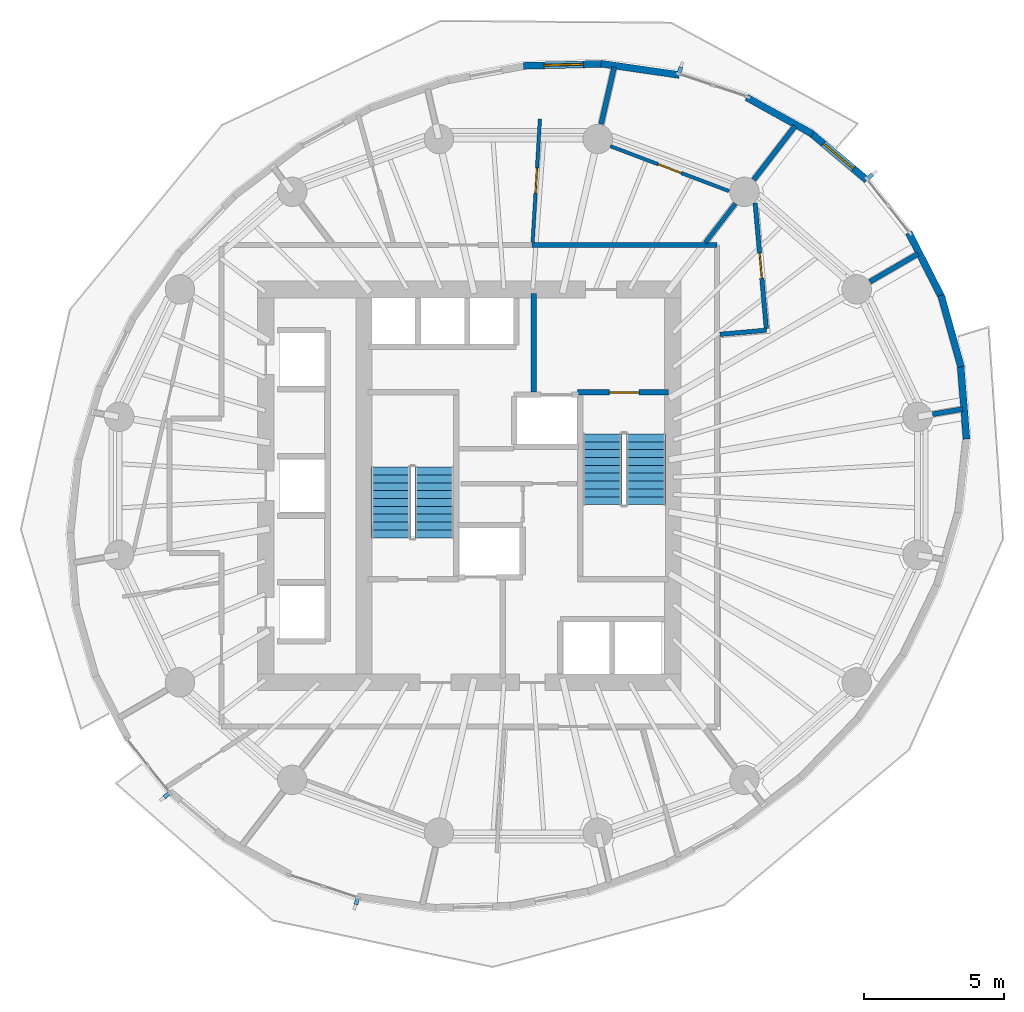
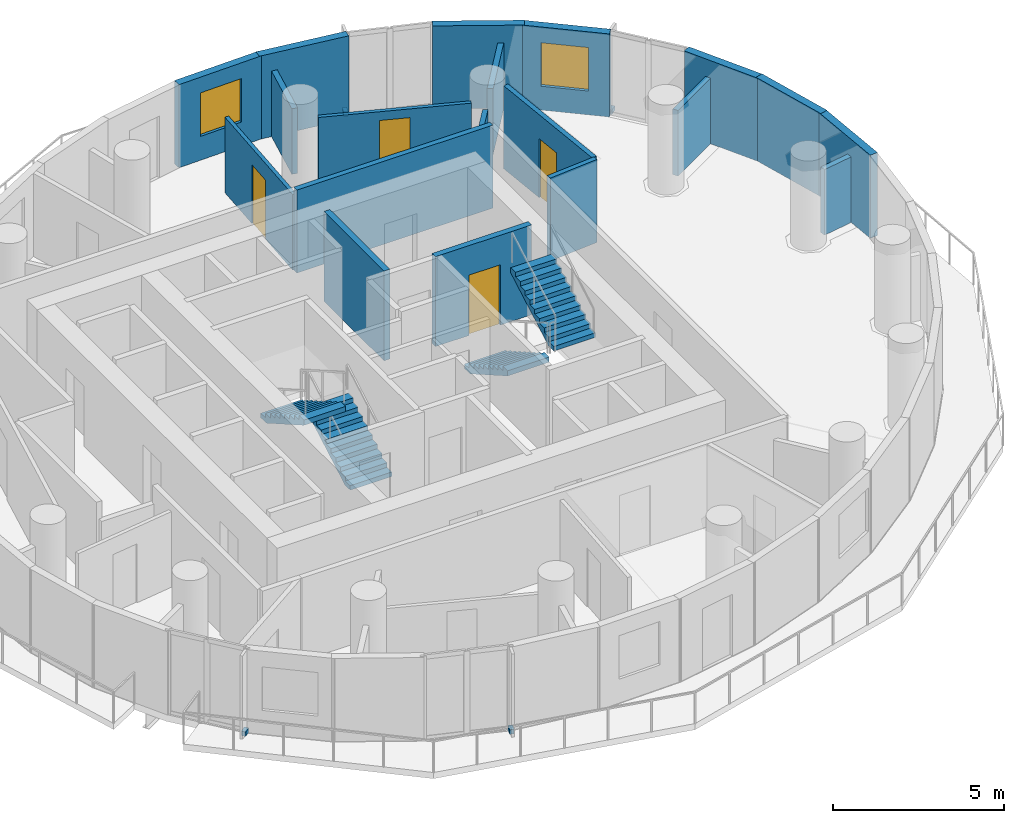
# One storey, part 7 of 12: 19 walls, 4 discrete accessories, 4 doors, 4 stair flights, 2 windows, 6 openings, 2 elements without a shape of their own.
"""IFC4 building model written with IfcOpenShell, lengths in metres."""

from ifc_helpers import new_model, si_unit, direction, frame, frame_2d, origin, origin_2d, place, context, subcontext, project, spatial, polyline, rectangle, outline, extrude, material, layer, layer_set, type_object, element, fill, aggregate, save


model = new_model("IFC4")

# Units and contexts
model_context = context("Model", 3, precision=1e-05, world=origin(), true_north=direction((0.0, 1.0)))
body_context = subcontext(model_context, "Body", "Model", "MODEL_VIEW")
ifc_project = project(units=[si_unit("LENGTHUNIT", "METRE"), si_unit("AREAUNIT", "SQUARE_METRE"), si_unit("VOLUMEUNIT", "CUBIC_METRE"), si_unit("PLANEANGLEUNIT", "RADIAN"), si_unit("MASSUNIT", "GRAM", prefix="KILO")], contexts=[model_context])

# Site, building, storey
site_placement = place(None, origin())
site = spatial("IfcSite", under=ifc_project, at=site_placement, CompositionType="ELEMENT")
building_placement = place(site_placement, origin())
building = spatial("IfcBuilding", under=site, at=building_placement, Name="Veldorim Arch Residences", CompositionType="ELEMENT")
storey_placement = place(building_placement, frame((0.0, 0.0, 139.360107421875)))
storey = spatial("IfcBuildingStorey", under=building, at=storey_placement, Name="L41", CompositionType="ELEMENT", Elevation=139.360107421875)

# Wall, opening, door
ifc_material_1 = material(Name="Acoustic Gypsum Board", Category="gypsum")
ifc_layer_1 = layer(ifc_material_1, 0.125, Name="Acoustic Stud Room Partition Wall 125")
ifc_layer_set_1 = layer_set([ifc_layer_1], Name="Acoustic Gypsum Board")
wall_type_1 = type_object("IfcWallType", Name="Acoustic Stud Room Partition Wall 125", PredefinedType="PARTITIONING", material=ifc_layer_set_1)
wall_1_placement = place(storey_placement, frame((32.76904296875, 37.07275390625, 0.0), z_axis=(0.0, 0.0, 1.0), x_axis=(-0.058751291398, -0.998272651012, 0.0)))
wall_1 = element("IfcWall", 1, at=wall_1_placement, inside=storey, type_object=wall_type_1, Name="L41 interior wall WL-RES-L41-020", PredefinedType="PARTITIONING", context=body_context, shape_type="SweptSolid", body=[
    extrude(rectangle(XDim=4.400634765625, YDim=0.125, at=frame_2d((2.2001953125, 0.0))), origin(), (0.0, 0.0, 1.0), 2.69189453125),
])
opening_1_placement = place(wall_1_placement, frame((1.750244140625, 0.0, 0.0)))
opening_1 = element("IfcOpeningElement", 2, at=opening_1_placement, cuts=wall_1, Name="Opening DR-INT", PredefinedType="OPENING", context=body_context, shape_type="SweptSolid", body=[
    extrude(rectangle(XDim=0.89990234375, YDim=2.10009765625, at=frame_2d((0.449951171875, 1.050048828125))), frame((0.0, 0.072509765625, 0.0), z_axis=(0.0, -1.0, 0.0), x_axis=(1.0, 0.0, 0.0)), (0.0, 0.0, 1.0), 0.14501953125),
])
ifc_material_2 = material(Name="Engineered Timber", Category="wood")
door_type_1 = type_object("IfcDoorType", Name="Apartment Internal Room Timber Door 900x2100", OperationType="SINGLE_SWING_LEFT", PredefinedType="DOOR", material=ifc_material_2)
door_1_placement = place(opening_1_placement, origin())
door_1 = element("IfcDoor", 3, at=door_1_placement, inside=storey, type_object=door_type_1, Name="L41 interior door DR-RES-L41-009", OperationType="SINGLE_SWING_LEFT", OverallHeight=2.10009765625, OverallWidth=0.89990234375, PredefinedType="DOOR", context=body_context, shape_type="SweptSolid", body=[
    extrude(rectangle(XDim=0.89990234375, YDim=2.10009765625, at=frame_2d((0.449951171875, 1.050048828125))), frame((0.0, 0.02490234375, 0.0), z_axis=(0.0, -1.0, 0.0), x_axis=(1.0, 0.0, 0.0)), (0.0, 0.0, 1.0), 0.050048828125),
])
fill(opening_1, door_1)

wall_2_placement = place(storey_placement, frame((35.2783203125, 36.10302734375, 0.0), z_axis=(0.0, 0.0, 1.0), x_axis=(0.935309901838, -0.353829602385, 0.0)))
wall_2 = element("IfcWall", 4, at=wall_2_placement, inside=storey, type_object=wall_type_1, Name="L41 interior wall WL-RES-L41-022", PredefinedType="PARTITIONING", context=body_context, shape_type="SweptSolid", body=[
    extrude(rectangle(XDim=4.525634765625, YDim=0.125, at=frame_2d((2.2626953125, 0.0))), origin(), (0.0, 0.0, 1.0), 2.4111328125),
])
opening_2_placement = place(wall_2_placement, frame((1.81298828125, 0.0, 0.0)))
opening_2 = element("IfcOpeningElement", 5, at=opening_2_placement, cuts=wall_2, Name="Opening DR-INT", PredefinedType="OPENING", context=body_context, shape_type="SweptSolid", body=[
    extrude(rectangle(XDim=0.89990234375, YDim=2.10009765625, at=frame_2d((0.449951171875, 1.050048828125))), frame((0.0, 0.072509765625, 0.0), z_axis=(0.0, -1.0, 0.0), x_axis=(1.0, 0.0, 0.0)), (0.0, 0.0, 1.0), 0.14501953125),
])
door_2_placement = place(opening_2_placement, origin())
door_2 = element("IfcDoor", 6, at=door_2_placement, inside=storey, type_object=door_type_1, Name="L41 interior door DR-RES-L41-010", OperationType="SINGLE_SWING_RIGHT", OverallHeight=2.10009765625, OverallWidth=0.89990234375, PredefinedType="DOOR", context=body_context, shape_type="SweptSolid", body=[
    extrude(rectangle(XDim=0.89990234375, YDim=2.10009765625, at=frame_2d((0.449951171875, 1.050048828125))), frame((0.0, 0.02490234375, 0.0), z_axis=(0.0, -1.0, 0.0), x_axis=(1.0, 0.0, 0.0)), (0.0, 0.0, 1.0), 0.050048828125),
])
fill(opening_2, door_2)

# Walls
ifc_material_3 = material(Name="Lightweight Masonry Block & Gypsum", Category="masonry")
ifc_layer_2 = layer(ifc_material_3, 0.179931640625, Name="Compartment & Corridor Fire-Rated Party Wall 180")
ifc_layer_set_2 = layer_set([ifc_layer_2], Name="Lightweight Masonry Block & Gypsum")
wall_type_2 = type_object("IfcWallType", Name="Compartment & Corridor Fire-Rated Party Wall 180", PredefinedType="PARTITIONING", material=ifc_layer_set_2)
wall_3_placement = place(storey_placement, frame((46.75830078125, 26.55078125, 0.0), z_axis=(0.0, 0.0, 1.0), x_axis=(0.985361391556, 0.170478526599, 0.0)))
element("IfcWall", 7, at=wall_3_placement, inside=storey, type_object=wall_type_2, Name="L41 interior wall WL-PIER-L41-01", PredefinedType="PARTITIONING", context=body_context, shape_type="SweptSolid", body=[
    extrude(rectangle(XDim=1.0869140625, YDim=0.179931640625, at=frame_2d((0.54345703125, 0.0))), origin(), (0.0, 0.0, 1.0), 2.335693359375),
])
wall_4_placement = place(storey_placement, frame((44.527587890625, 31.27392578125, 0.0), z_axis=(0.0, 0.0, 1.0), x_axis=(0.864844369658, 0.502040054448, 0.0)))
element("IfcWall", 8, at=wall_4_placement, inside=storey, type_object=wall_type_2, Name="L41 interior wall WL-PIER-L41-02", PredefinedType="PARTITIONING", context=body_context, shape_type="SweptSolid", body=[
    extrude(rectangle(XDim=1.974365234375, YDim=0.179931640625, at=frame_2d((0.9873046875, 0.0))), origin(), (0.0, 0.0, 1.0), 2.335693359375),
])
wall_5_placement = place(storey_placement, frame((40.387939453125, 34.908447265625, 0.0), z_axis=(0.0, 0.0, 1.0), x_axis=(0.609549509747, 0.79274800231, 0.0)))
element("IfcWall", 9, at=wall_5_placement, inside=storey, type_object=wall_type_2, Name="L41 interior wall WL-PIER-L41-03", PredefinedType="PARTITIONING", context=body_context, shape_type="SweptSolid", body=[
    extrude(rectangle(XDim=2.414794921875, YDim=0.179931640625, at=frame_2d((1.20751953125, 0.0))), origin(), (0.0, 0.0, 1.0), 2.335693359375),
])
wall_6_placement = place(storey_placement, frame((34.950439453125, 36.88916015625, 0.0), z_axis=(0.0, 0.0, 1.0), x_axis=(0.223063251486, 0.974803973031, 0.0)))
element("IfcWall", 10, at=wall_6_placement, inside=storey, type_object=wall_type_2, Name="L41 interior wall WL-PIER-L41-04", PredefinedType="PARTITIONING", context=body_context, shape_type="SweptSolid", body=[
    extrude(rectangle(XDim=2.0849609375, YDim=0.179931640625, at=frame_2d((1.04248046875, 0.0))), origin(), (0.0, 0.0, 1.0), 2.335693359375),
])
wall_7_placement = place(storey_placement, frame((32.484619140625, 32.580078125, 0.0), z_axis=(0.0, 0.0, 1.0), x_axis=(1.0, 0.0, 0.0)))
element("IfcWall", 11, at=wall_7_placement, inside=storey, type_object=wall_type_2, Name="L41 interior wall WL-RES-L41-003", PredefinedType="PARTITIONING", context=body_context, shape_type="SweptSolid", body=[
    extrude(rectangle(XDim=6.595458984375, YDim=0.179931640625, at=frame_2d((3.2978515625, 0.0))), origin(), (0.0, 0.0, 1.0), 2.954833984375),
])

# Wall, opening, door
ifc_material_4 = material(Name="Concrete C50/60", Category="concrete")
ifc_layer_3 = layer(ifc_material_4, 0.199951171875, Name="Core Stair & Lift Shaft Enclosure Wall 200")
ifc_layer_set_3 = layer_set([ifc_layer_3], Name="Concrete C50/60")
wall_type_3 = type_object("IfcWallType", Name="Core Stair & Lift Shaft Enclosure Wall 200", PredefinedType="SHEAR", material=ifc_layer_set_3)
wall_8_placement = place(storey_placement, frame((34.110107421875, 27.330078125, 0.0), z_axis=(0.0, 0.0, 1.0), x_axis=(1.0, 0.0, 0.0)))
wall_8 = element("IfcWall", 12, at=wall_8_placement, inside=storey, type_object=wall_type_3, Name="L41 shaft wall WL-SHF-L41-ST2-N", PredefinedType="SHEAR", context=body_context, shape_type="SweptSolid", body=[
    extrude(rectangle(XDim=3.239990234375, YDim=0.199951171875, at=frame_2d((1.6201171875, 0.0))), origin(), (0.0, 0.0, 1.0), 3.199951171875),
])
opening_3_placement = place(wall_8_placement, frame((1.135009765625, 0.0, 0.0)))
opening_3 = element("IfcOpeningElement", 13, at=opening_3_placement, cuts=wall_8, Name="Opening DR-ST", PredefinedType="OPENING", context=body_context, shape_type="SweptSolid", body=[
    extrude(rectangle(XDim=1.050048828125, YDim=2.14990234375, at=frame_2d((0.52490234375, 1.074951171875))), frame((0.0, 0.10986328125, 0.0), z_axis=(0.0, -1.0, 0.0), x_axis=(1.0, 0.0, 0.0)), (0.0, 0.0, 1.0), 0.219970703125),
])
ifc_material_5 = material(Name="Fire-Rated Steel", Category="steel")
door_type_2 = type_object("IfcDoorType", Name="Exit Staircase Self-Closing Fire Door 1050x2150", OperationType="SINGLE_SWING_LEFT", PredefinedType="DOOR", material=ifc_material_5)
door_3_placement = place(opening_3_placement, origin())
door_3 = element("IfcDoor", 14, at=door_3_placement, inside=storey, type_object=door_type_2, Name="L41 interior door DR-L41-ST2", OperationType="SINGLE_SWING_RIGHT", OverallHeight=2.14990234375, OverallWidth=1.050048828125, PredefinedType="DOOR", context=body_context, shape_type="SweptSolid", body=[
    extrude(rectangle(XDim=1.050048828125, YDim=2.14990234375, at=frame_2d((0.52490234375, 1.074951171875))), frame((0.0, 0.02490234375, 0.0), z_axis=(0.0, -1.0, 0.0), x_axis=(1.0, 0.0, 0.0)), (0.0, 0.0, 1.0), 0.050048828125),
])
fill(opening_3, door_3)

# Wall
wall_9_placement = place(storey_placement, frame((32.550048828125, 27.35009765625, 0.0), z_axis=(0.0, 0.0, 1.0), x_axis=(0.0, 1.0, 0.0)))
element("IfcWall", 15, at=wall_9_placement, inside=storey, type_object=wall_type_3, Name="L41 shaft wall WL-FFL2-L41-W", PredefinedType="SHEAR", context=body_context, shape_type="SweptSolid", body=[
    extrude(rectangle(XDim=3.5, YDim=0.199951171875, at=frame_2d((1.75, 0.0))), origin(), (0.0, 0.0, 1.0), 3.199951171875),
])

# Wall, opening, window
ifc_material_6 = material(Name="Precast concrete C40/50", Category="concrete")
ifc_layer_4 = layer(ifc_material_6, 0.25, Name="Tower Terracotta Spandrel & Pier Wall 250")
ifc_layer_set_4 = layer_set([ifc_layer_4], Name="Precast concrete C40/50")
wall_type_4 = type_object("IfcWallType", Name="Tower Terracotta Spandrel & Pier Wall 250", PredefinedType="SOLIDWALL", material=ifc_layer_set_4)
wall_10_placement = place(storey_placement, frame((42.39453125, 36.601318359375, 0.0), z_axis=(0.0, 0.0, 1.0), x_axis=(0.764825125467, -0.644237943197, 0.0)))
wall_10 = element("IfcWall", 16, at=wall_10_placement, inside=storey, type_object=wall_type_4, Name="L41 terracotta facade wall 02", PredefinedType="SOLIDWALL", context=body_context, shape_type="SweptSolid", body=[
    extrude(rectangle(XDim=2.648193359375, YDim=0.25, at=frame_2d((1.32421875, 0.0))), origin(), (0.0, 0.0, 1.0), 2.9599609375),
])
opening_4_placement = place(wall_10_placement, frame((0.6240234375, 0.0, 0.85009765625)))
opening_4 = element("IfcOpeningElement", 17, at=opening_4_placement, cuts=wall_10, Name="Opening WN-02", PredefinedType="OPENING", context=body_context, shape_type="SweptSolid", body=[
    extrude(rectangle(XDim=1.39990234375, YDim=1.550048828125, at=frame_2d((0.699951171875, 0.77490234375))), frame((0.0, 0.135009765625, 0.0), z_axis=(0.0, -1.0, 0.0), x_axis=(1.0, 0.0, 0.0)), (0.0, 0.0, 1.0), 0.27001953125),
])
ifc_material_7 = material(Name="Laminated Low-E Glass", Category="glass")
window_type = type_object("IfcWindowType", Name="Residential Casement Window 1400x1550", PartitioningType="SINGLE_PANEL", PredefinedType="WINDOW", material=ifc_material_7)
window_1_placement = place(opening_4_placement, origin())
window_1 = element("IfcWindow", 18, at=window_1_placement, inside=storey, type_object=window_type, Name="L41 solar-control facade window 02", OverallHeight=1.550048828125, OverallWidth=1.39990234375, PartitioningType="SINGLE_PANEL", PredefinedType="WINDOW", context=body_context, shape_type="SweptSolid", body=[
    extrude(rectangle(XDim=1.39990234375, YDim=1.550048828125, at=frame_2d((0.699951171875, 0.77490234375))), frame((0.0, 0.030029296875, 0.0), z_axis=(0.0, -1.0, 0.0), x_axis=(1.0, 0.0, 0.0)), (0.0, 0.0, 1.0), 0.06005859375),
])
fill(opening_4, window_1)

# Walls
wall_11_placement = place(storey_placement, frame((40.1337890625, 37.84375, 0.0), z_axis=(0.0, 0.0, 1.0), x_axis=(0.874341102682, -0.485311895755, 0.0)))
element("IfcWall", 19, at=wall_11_placement, inside=storey, type_object=wall_type_4, Name="L41 terracotta facade wall 03", PredefinedType="SOLIDWALL", context=body_context, shape_type="SweptSolid", body=[
    extrude(rectangle(XDim=2.69287109375, YDim=0.25, at=frame_2d((1.346435546875, 0.0))), origin(), (0.0, 0.0, 1.0), 2.9599609375),
])
wall_12_placement = place(storey_placement, frame((34.94580078125, 39.045166015625, 0.0), z_axis=(0.0, 0.0, 1.0), x_axis=(0.98966505468, -0.143398324768, 0.0)))
element("IfcWall", 20, at=wall_12_placement, inside=storey, type_object=wall_type_4, Name="L41 terracotta facade wall 05", PredefinedType="SOLIDWALL", context=body_context, shape_type="SweptSolid", body=[
    extrude(rectangle(XDim=2.817626953125, YDim=0.25, at=frame_2d((1.40869140625, 0.0))), origin(), (0.0, 0.0, 1.0), 2.9599609375),
])

# Wall, opening, window
wall_13_placement = place(storey_placement, frame((32.175537109375, 38.966796875, 0.0), z_axis=(0.0, 0.0, 1.0), x_axis=(0.999687646408, 0.02499219116, 0.0)))
wall_13 = element("IfcWall", 21, at=wall_13_placement, inside=storey, type_object=wall_type_4, Name="L41 terracotta facade wall 06", PredefinedType="SOLIDWALL", context=body_context, shape_type="SweptSolid", body=[
    extrude(rectangle(XDim=2.8818359375, YDim=0.25, at=frame_2d((1.44091796875, 0.0))), origin(), (0.0, 0.0, 1.0), 2.9599609375),
])
opening_5_placement = place(wall_13_placement, frame((0.740966796875, 0.0, 0.85009765625)))
opening_5 = element("IfcOpeningElement", 22, at=opening_5_placement, cuts=wall_13, Name="Opening WN-02", PredefinedType="OPENING", context=body_context, shape_type="SweptSolid", body=[
    extrude(rectangle(XDim=1.39990234375, YDim=1.550048828125, at=frame_2d((0.699951171875, 0.77490234375))), frame((0.0, 0.135009765625, 0.0), z_axis=(0.0, -1.0, 0.0), x_axis=(1.0, 0.0, 0.0)), (0.0, 0.0, 1.0), 0.27001953125),
])
window_2_placement = place(opening_5_placement, origin())
window_2 = element("IfcWindow", 23, at=window_2_placement, inside=storey, type_object=window_type, Name="L41 solar-control facade window 06", OverallHeight=1.550048828125, OverallWidth=1.39990234375, PartitioningType="SINGLE_PANEL", PredefinedType="WINDOW", context=body_context, shape_type="SweptSolid", body=[
    extrude(rectangle(XDim=1.39990234375, YDim=1.550048828125, at=frame_2d((0.699951171875, 0.77490234375))), frame((0.0, 0.030029296875, 0.0), z_axis=(0.0, -1.0, 0.0), x_axis=(1.0, 0.0, 0.0)), (0.0, 0.0, 1.0), 0.06005859375),
])
fill(opening_5, window_2)

# Walls
wall_14_placement = place(storey_placement, frame((47.755859375, 28.350341796875, 0.0), z_axis=(0.0, 0.0, 1.0), x_axis=(0.079420906371, -0.996841170714, 0.0)))
element("IfcWall", 24, at=wall_14_placement, inside=storey, type_object=wall_type_4, Name="L41 terracotta facade wall 34", PredefinedType="SOLIDWALL", context=body_context, shape_type="SweptSolid", body=[
    extrude(rectangle(XDim=2.69287109375, YDim=0.25, at=frame_2d((1.346435546875, 0.0))), origin(), (0.0, 0.0, 1.0), 2.9599609375),
])
wall_15_placement = place(storey_placement, frame((47.062255859375, 30.788818359375, 0.0), z_axis=(0.0, 0.0, 1.0), x_axis=(0.269469206067, -0.963009006698, 0.0)))
element("IfcWall", 25, at=wall_15_placement, inside=storey, type_object=wall_type_4, Name="L41 terracotta facade wall 35", PredefinedType="SOLIDWALL", context=body_context, shape_type="SweptSolid", body=[
    extrude(rectangle(XDim=2.648193359375, YDim=0.25, at=frame_2d((1.32421875, 0.0))), origin(), (0.0, 0.0, 1.0), 2.9599609375),
])
wall_16_placement = place(storey_placement, frame((45.912109375, 33.02001953125, 0.0), z_axis=(0.0, 0.0, 1.0), x_axis=(0.454196134835, -0.890901717981, 0.0)))
element("IfcWall", 26, at=wall_16_placement, inside=storey, type_object=wall_type_4, Name="L41 terracotta facade wall 36", PredefinedType="SOLIDWALL", context=body_context, shape_type="SweptSolid", body=[
    extrude(rectangle(XDim=2.624267578125, YDim=0.25, at=frame_2d((1.31201171875, 0.0))), origin(), (0.0, 0.0, 1.0), 2.9599609375),
])
ifc_material_8 = material(Name="Moisture-Resistant Gypsum & Stud", Category="gypsum")
ifc_layer_5 = layer(ifc_material_8, 0.159912109375, Name="Wet-Area Moisture-Resistant Plumbing Wall 160")
ifc_layer_set_5 = layer_set([ifc_layer_5], Name="Moisture-Resistant Gypsum & Stud")
wall_type_5 = type_object("IfcWallType", Name="Wet-Area Moisture-Resistant Plumbing Wall 160", PredefinedType="PLUMBINGWALL", material=ifc_layer_set_5)
wall_17_placement = place(storey_placement, frame((39.1796875, 29.398193359375, 0.0), z_axis=(0.0, 0.0, 1.0), x_axis=(0.996058284503, 0.088701149215, 0.0)))
element("IfcWall", 27, at=wall_17_placement, inside=storey, type_object=wall_type_5, Name="L41 interior wall WL-RES-L41-016", PredefinedType="PLUMBINGWALL", context=body_context, shape_type="SweptSolid", body=[
    extrude(rectangle(XDim=1.66796875, YDim=0.159912109375, at=frame_2d((0.833984375, 0.0))), origin(), (0.0, 0.0, 1.0), 2.954833984375),
])

# Wall, opening, door
wall_18_placement = place(storey_placement, frame((40.835693359375, 29.60595703125, 0.0), z_axis=(0.0, 0.0, 1.0), x_axis=(-0.08877110741, 0.996052052098, 0.0)))
wall_18 = element("IfcWall", 28, at=wall_18_placement, inside=storey, type_object=wall_type_5, Name="L41 interior wall WL-RES-L41-017", PredefinedType="PLUMBINGWALL", context=body_context, shape_type="SweptSolid", body=[
    extrude(rectangle(XDim=4.4912109375, YDim=0.159912109375, at=frame_2d((2.24560546875, 0.0))), origin(), (0.0, 0.0, 1.0), 2.954833984375),
])
opening_6_placement = place(wall_18_placement, frame((1.795654296875, 0.0, 0.0)))
opening_6 = element("IfcOpeningElement", 29, at=opening_6_placement, cuts=wall_18, Name="Opening DR-WC", PredefinedType="OPENING", context=body_context, shape_type="SweptSolid", body=[
    extrude(rectangle(XDim=0.89990234375, YDim=2.10009765625, at=frame_2d((0.449951171875, 1.050048828125))), frame((0.0, 0.08984375, 0.0), z_axis=(0.0, -1.0, 0.0), x_axis=(1.0, 0.0, 0.0)), (0.0, 0.0, 1.0), 0.179931640625),
])
ifc_material_9 = material(Name="Laminate Timber", Category="wood")
door_type_3 = type_object("IfcDoorType", Name="Bathroom & Accessible WC Moisture-Sealed Door 900x2100", OperationType="SINGLE_SWING_LEFT", PredefinedType="DOOR", material=ifc_material_9)
door_4_placement = place(opening_6_placement, origin())
door_4 = element("IfcDoor", 30, at=door_4_placement, inside=storey, type_object=door_type_3, Name="L41 interior door DR-RES-L41-006", OperationType="SINGLE_SWING_RIGHT", OverallHeight=2.10009765625, OverallWidth=0.89990234375, PredefinedType="DOOR", context=body_context, shape_type="SweptSolid", body=[
    extrude(rectangle(XDim=0.89990234375, YDim=2.10009765625, at=frame_2d((0.449951171875, 1.050048828125))), frame((0.0, 0.02490234375, 0.0), z_axis=(0.0, -1.0, 0.0), x_axis=(1.0, 0.0, 0.0)), (0.0, 0.0, 1.0), 0.050048828125),
])
fill(opening_6, door_4)

# Wall
wall_19_placement = place(storey_placement, frame((38.658447265625, 32.6591796875, 0.0), z_axis=(0.0, 0.0, 1.0), x_axis=(0.609536601946, 0.792757927042, 0.0)))
element("IfcWall", 31, at=wall_19_placement, inside=storey, type_object=wall_type_5, Name="L41 interior wall WL-RES-L41-018", PredefinedType="PLUMBINGWALL", context=body_context, shape_type="SweptSolid", body=[
    extrude(rectangle(XDim=1.761474609375, YDim=0.159912109375, at=frame_2d((0.880859375, 0.0))), origin(), (0.0, 0.0, 1.0), 2.335693359375),
])

# Stair, stair flights
ifc_material_10 = material(Name="Concrete C40/50", Category="concrete")
stair_type = type_object("IfcStairType", Name="Reinforced Concrete Dogleg Exit Staircase", PredefinedType="HALF_TURN_STAIR", material=ifc_material_10)
stair_1_placement = place(storey_placement, origin())
stair_1 = element("IfcStair", 32, at=stair_1_placement, inside=storey, type_object=stair_type, Name="L41 Exit Staircase ST-1", PredefinedType="HALF_TURN_STAIR")
ifc_material_11 = material(Name="Concrete C40/50", Category="concrete")
stair_flight_type = type_object("IfcStairFlightType", Name="Reinforced Concrete Stair Flight 1400", PredefinedType="STRAIGHT", material=ifc_material_11)
stair_flight_1_placement = place(storey_placement, frame((29.010009765625, 22.14990234375, 0.0), z_axis=(0.0, 0.0, 1.0), x_axis=(0.0, 1.0, 0.0)))
stair_flight_1 = element("IfcStairFlight", 33, at=stair_flight_1_placement, type_object=stair_flight_type, Name="ST-1 flight 1", NumberOfRisers=10, NumberOfTreads=9, PredefinedType="STRAIGHT", RiserHeight=0.16, TreadLength=0.28, context=body_context, shape_type="SweptSolid", body=[
    extrude(outline(polyline([(0.0, 0.0), (0.0, 0.159912109375), (0.280029296875, 0.159912109375), (0.280029296875, 0.320068359375), (0.56005859375, 0.320068359375), (0.56005859375, 0.47998046875), (0.840087890625, 0.47998046875), (0.840087890625, 0.639892578125), (1.1201171875, 0.639892578125), (1.1201171875, 0.800048828125), (1.39990234375, 0.800048828125), (1.39990234375, 0.9599609375), (1.679931640625, 0.9599609375), (1.679931640625, 1.1201171875), (1.9599609375, 1.1201171875), (1.9599609375, 1.280029296875), (2.239990234375, 1.280029296875), (2.239990234375, 1.43994140625), (2.52001953125, 1.43994140625), (2.52001953125, 1.60009765625), (2.52001953125, 1.255859375), (0.322265625, 0.0), (0.0, 0.0)])), frame((0.0, 0.699951171875, 0.0), z_axis=(0.0, -1.0, 0.0), x_axis=(1.0, 0.0, 0.0)), (0.0, 0.0, 1.0), 1.39990234375),
])
stair_flight_2_placement = place(storey_placement, frame((27.449951171875, 24.669921875, 1.599853515625), z_axis=(0.0, 0.0, 1.0), x_axis=(0.0, -1.0, 0.0)))
stair_flight_2 = element("IfcStairFlight", 34, at=stair_flight_2_placement, type_object=stair_flight_type, Name="ST-1 flight 2", NumberOfRisers=10, NumberOfTreads=9, PredefinedType="STRAIGHT", RiserHeight=0.16, TreadLength=0.28, context=body_context, shape_type="SweptSolid", body=[
    extrude(outline(polyline([(0.0, 0.0), (0.0, 0.159912109375), (0.280029296875, 0.159912109375), (0.280029296875, 0.320068359375), (0.56005859375, 0.320068359375), (0.56005859375, 0.47998046875), (0.840087890625, 0.47998046875), (0.840087890625, 0.639892578125), (1.1201171875, 0.639892578125), (1.1201171875, 0.800048828125), (1.39990234375, 0.800048828125), (1.39990234375, 0.9599609375), (1.679931640625, 0.9599609375), (1.679931640625, 1.1201171875), (1.9599609375, 1.1201171875), (1.9599609375, 1.280029296875), (2.239990234375, 1.280029296875), (2.239990234375, 1.43994140625), (2.52001953125, 1.43994140625), (2.52001953125, 1.60009765625), (2.52001953125, 1.255859375), (0.322265625, 0.0), (0.0, 0.0)])), frame((0.0, 0.699951171875, 0.0), z_axis=(0.0, -1.0, 0.0), x_axis=(1.0, 0.0, 0.0)), (0.0, 0.0, 1.0), 1.39990234375),
])
aggregate(stair_1, [stair_flight_1, stair_flight_2])

stair_2_placement = place(storey_placement, origin())
stair_2 = element("IfcStair", 35, at=stair_2_placement, inside=storey, type_object=stair_type, Name="L41 Exit Staircase ST-2", PredefinedType="HALF_TURN_STAIR")
stair_flight_3_placement = place(storey_placement, frame((34.989990234375, 25.85009765625, 0.0), z_axis=(0.0, 0.0, 1.0), x_axis=(0.0, -1.0, 0.0)))
stair_flight_3 = element("IfcStairFlight", 36, at=stair_flight_3_placement, type_object=stair_flight_type, Name="ST-2 flight 1", NumberOfRisers=10, NumberOfTreads=9, PredefinedType="STRAIGHT", RiserHeight=0.16, TreadLength=0.28, context=body_context, shape_type="SweptSolid", body=[
    extrude(outline(polyline([(0.0, 0.0), (0.0, 0.159912109375), (0.280029296875, 0.159912109375), (0.280029296875, 0.320068359375), (0.56005859375, 0.320068359375), (0.56005859375, 0.47998046875), (0.840087890625, 0.47998046875), (0.840087890625, 0.639892578125), (1.1201171875, 0.639892578125), (1.1201171875, 0.800048828125), (1.39990234375, 0.800048828125), (1.39990234375, 0.9599609375), (1.679931640625, 0.9599609375), (1.679931640625, 1.1201171875), (1.9599609375, 1.1201171875), (1.9599609375, 1.280029296875), (2.239990234375, 1.280029296875), (2.239990234375, 1.43994140625), (2.52001953125, 1.43994140625), (2.52001953125, 1.60009765625), (2.52001953125, 1.255859375), (0.322265625, 0.0), (0.0, 0.0)])), frame((0.0, 0.699951171875, 0.0), z_axis=(0.0, -1.0, 0.0), x_axis=(1.0, 0.0, 0.0)), (0.0, 0.0, 1.0), 1.39990234375),
])
stair_flight_4_placement = place(storey_placement, frame((36.550048828125, 23.330078125, 1.599853515625), z_axis=(0.0, 0.0, 1.0), x_axis=(0.0, 1.0, 0.0)))
stair_flight_4 = element("IfcStairFlight", 37, at=stair_flight_4_placement, type_object=stair_flight_type, Name="ST-2 flight 2", NumberOfRisers=10, NumberOfTreads=9, PredefinedType="STRAIGHT", RiserHeight=0.16, TreadLength=0.28, context=body_context, shape_type="SweptSolid", body=[
    extrude(outline(polyline([(0.0, 0.0), (0.0, 0.159912109375), (0.280029296875, 0.159912109375), (0.280029296875, 0.320068359375), (0.56005859375, 0.320068359375), (0.56005859375, 0.47998046875), (0.840087890625, 0.47998046875), (0.840087890625, 0.639892578125), (1.1201171875, 0.639892578125), (1.1201171875, 0.800048828125), (1.39990234375, 0.800048828125), (1.39990234375, 0.9599609375), (1.679931640625, 0.9599609375), (1.679931640625, 1.1201171875), (1.9599609375, 1.1201171875), (1.9599609375, 1.280029296875), (2.239990234375, 1.280029296875), (2.239990234375, 1.43994140625), (2.52001953125, 1.43994140625), (2.52001953125, 1.60009765625), (2.52001953125, 1.255859375), (0.322265625, 0.0), (0.0, 0.0)])), frame((0.0, 0.699951171875, 0.0), z_axis=(0.0, -1.0, 0.0), x_axis=(1.0, 0.0, 0.0)), (0.0, 0.0, 1.0), 1.39990234375),
])
aggregate(stair_2, [stair_flight_3, stair_flight_4])

# Discrete accessories
ifc_material_12 = material(Name="Stainless Steel", Category="steel")
discrete_accessory_type = type_object("IfcDiscreteAccessoryType", Name="Stainless Steel Facade Fin Anchor Bracket", PredefinedType="BRACKET", material=ifc_material_12)
for number, where, z_axis, x_axis, name in (
    (38, (44.527099609375, 35.023681640625, -0.02001953125), (0.0, 0.0, 1.0), (0.622514636638, -0.782608156852, 0.0), "L41 stainless fin anchor bracket 01"),
    (39, (37.756591796875, 38.8076171875, -0.02001953125), (0.0, 0.0, 1.0), (0.948931088342, -0.315483422034, 0.0), "L41 stainless fin anchor bracket 04"),
    (40, (19.472900390625, 12.976318359375, -0.02001953125), (0.0, 0.0, 1.0), (-0.622514636638, 0.782608156852, 0.0), "L41 stainless fin anchor bracket 19"),
    (41, (26.243408203125, 9.1923828125, -0.02001953125), (0.0, 0.0, 1.0), (-0.948931088342, 0.315483422034, 0.0), "L41 stainless fin anchor bracket 22"),
):
    element("IfcDiscreteAccessory", number, at=place(storey_placement, frame(where, z_axis=z_axis, x_axis=x_axis)), inside=storey, type_object=discrete_accessory_type, Name=name, PredefinedType="BRACKET", context=body_context, shape_type="SweptSolid", body=[
        extrude(rectangle(XDim=0.139892578125, YDim=0.239990234375, at=origin_2d()), origin(), (0.0, 0.0, 1.0), 0.159912109375),
    ])

save(model, "model.ifc")
